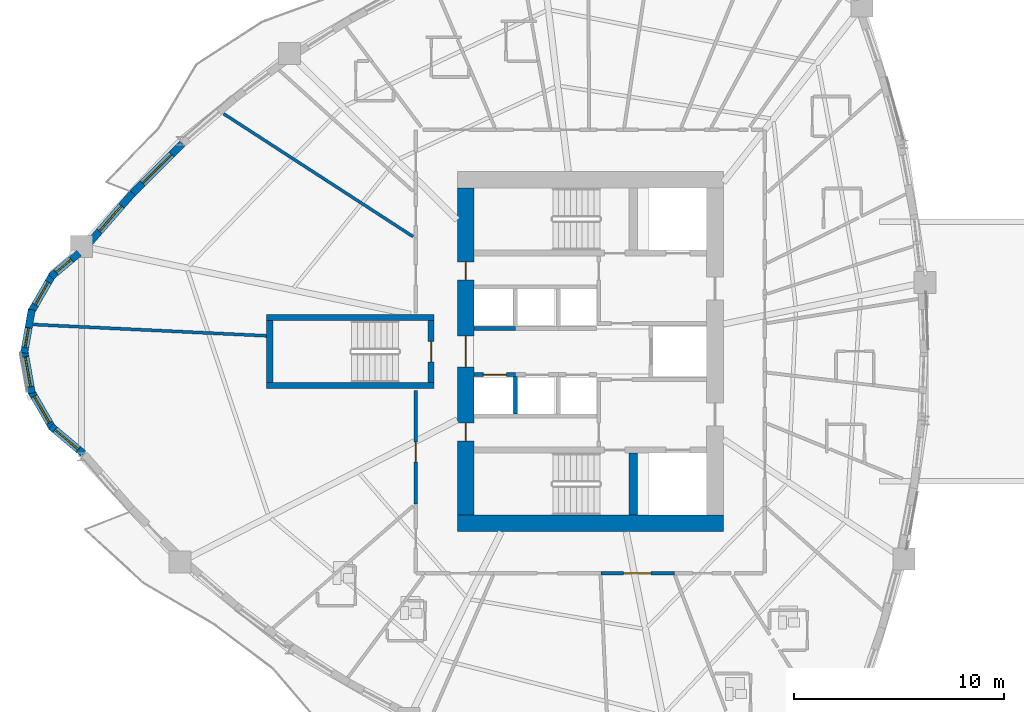
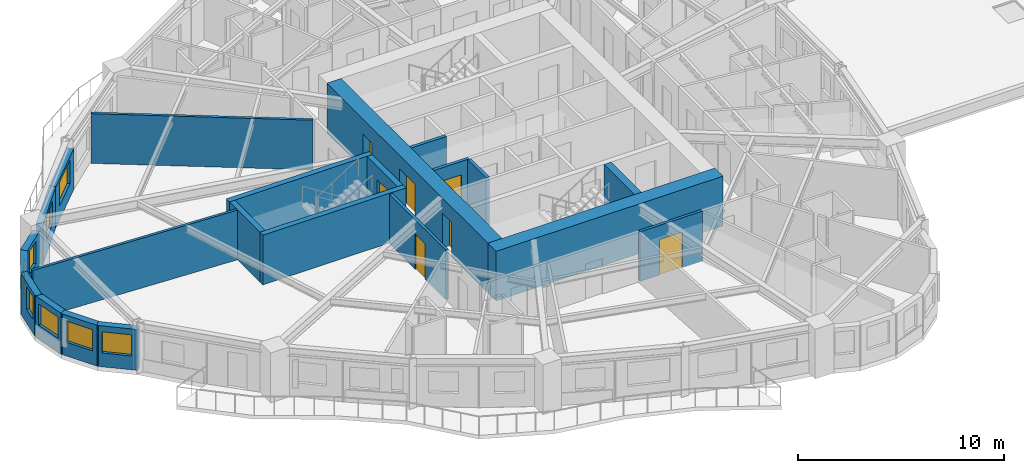
# One storey, part 4 of 15: 22 walls, 8 windows, 7 doors, 15 openings.
"""IFC4 building model written with IfcOpenShell, lengths in metres."""

from ifc_helpers import new_model, si_unit, direction, frame, frame_2d, origin, place, context, subcontext, project, spatial, rectangle, extrude, source, transform, mapped, material, layer, layer_set, type_object, element, fill, save


model = new_model("IFC4")

# Units and contexts
model_context = context("Model", 3, precision=1e-05, world=origin(), true_north=direction((0.0, 1.0)))
body_context = subcontext(model_context, "Body", "Model", "MODEL_VIEW")
ifc_project = project(units=[si_unit("LENGTHUNIT", "METRE"), si_unit("AREAUNIT", "SQUARE_METRE"), si_unit("VOLUMEUNIT", "CUBIC_METRE"), si_unit("PLANEANGLEUNIT", "RADIAN"), si_unit("MASSUNIT", "GRAM", prefix="KILO")], contexts=[model_context])

# Site, building, storey
site_placement = place(None, origin())
site = spatial("IfcSite", under=ifc_project, at=site_placement, CompositionType="ELEMENT")
building_placement = place(site_placement, origin())
building = spatial("IfcBuilding", under=site, at=building_placement, Name="Qafzar Sky-Pleat Residences", CompositionType="ELEMENT")
storey_placement = place(building_placement, frame((0.0, 0.0, 36.60009765625)))
storey = spatial("IfcBuildingStorey", under=building, at=storey_placement, Name="L10", CompositionType="ELEMENT", Elevation=36.60009765625)

# Wall, opening, door
ifc_material_1 = material(Name="Acoustic gypsum plasterboard partition", Category="gypsum")
ifc_layer_1 = layer(ifc_material_1, 0.159912109375)
ifc_layer_set_1 = layer_set([ifc_layer_1], Name="Acoustic gypsum plasterboard partition")
wall_type_1 = type_object("IfcWallType", Name="PART-COR-160", PredefinedType="PARTITIONING", material=ifc_layer_set_1)
wall_1_placement = place(storey_placement, frame((22.02001953125, 18.721923828125, 0.0), z_axis=(0.0, 0.0, 1.0), x_axis=(0.0, 1.0, 0.0)))
wall_1 = element("IfcWall", 1, at=wall_1_placement, inside=storey, type_object=wall_type_1, Name="L10 Partition Wall PART-L10-PW-001", PredefinedType="PARTITIONING", context=body_context, shape_type="SweptSolid", body=[
    extrude(rectangle(XDim=5.427978515625, YDim=0.159912109375, at=frame_2d((2.7138671875, 0.0))), origin(), (0.0, 0.0, 1.0), 2.93994140625),
])
opening_1_placement = place(wall_1_placement, frame((1.99609375, 0.0, 0.0)))
opening_1 = element("IfcOpeningElement", 2, at=opening_1_placement, cuts=wall_1, Name="Opening ID-06", PredefinedType="OPENING", context=body_context, shape_type="SweptSolid", body=[
    extrude(rectangle(XDim=0.9599609375, YDim=2.10009765625, at=frame_2d((0.47998046875, 1.050048828125))), frame((0.0, 0.08984375, 0.0), z_axis=(0.0, -1.0, 0.0), x_axis=(1.0, 0.0, 0.0)), (0.0, 0.0, 1.0), 0.179931640625),
])
ifc_material_2 = material(Name="Timber-faced fire door", Category="wood")
door_type_1 = type_object("IfcDoorType", Name="DR-STD-960", OperationType="NOTDEFINED", PredefinedType="DOOR", material=ifc_material_2)
shared_shape_1 = source(origin(), body_context, "Body", "SweptSolid", [
    extrude(rectangle(XDim=0.9599609375, YDim=2.10009765625, at=frame_2d((0.47998046875, 1.050048828125))), frame((0.0, 0.02490234375, 0.0), z_axis=(0.0, -1.0, 0.0), x_axis=(1.0, 0.0, 0.0)), (0.0, 0.0, 1.0), 0.050048828125),
])
door_1_placement = place(opening_1_placement, origin())
door_1 = element("IfcDoor", 3, at=door_1_placement, inside=storey, type_object=door_type_1, Name="L10 Scholar Co-Working Workspace Door", OperationType="SINGLE_SWING_RIGHT", OverallHeight=2.10009765625, OverallWidth=0.9599609375, PredefinedType="DOOR", context=body_context, shape_type="MappedRepresentation", body=[
    mapped(shared_shape_1, transform((0.0, 0.0, 0.0), x_axis=(1.0, 0.0, 0.0), y_axis=(0.0, 1.0, 0.0), z_axis=(0.0, 0.0, 1.0), scale=1.0)),
])
fill(opening_1, door_1)

wall_2_placement = place(storey_placement, frame((34.361083984375, 15.419921875, 0.0), z_axis=(0.0, 0.0, 1.0), x_axis=(-1.0, 0.0, 0.0)))
wall_2 = element("IfcWall", 4, at=wall_2_placement, inside=storey, type_object=wall_type_1, Name="L10 Partition Wall PART-L10-PW-006", PredefinedType="PARTITIONING", context=body_context, shape_type="SweptSolid", body=[
    extrude(rectangle(XDim=3.4970703125, YDim=0.159912109375, at=frame_2d((1.74853515625, 0.0))), origin(), (0.0, 0.0, 1.0), 2.93994140625),
])
opening_2_placement = place(wall_2_placement, frame((1.12158203125, 0.0, 0.0)))
opening_2 = element("IfcOpeningElement", 5, at=opening_2_placement, cuts=wall_2, Name="Opening ID-05", PredefinedType="OPENING", context=body_context, shape_type="SweptSolid", body=[
    extrude(rectangle(XDim=1.300048828125, YDim=2.10009765625, at=frame_2d((0.64990234375, 1.050048828125))), frame((0.0, 0.08984375, 0.0), z_axis=(0.0, -1.0, 0.0), x_axis=(1.0, 0.0, 0.0)), (0.0, 0.0, 1.0), 0.179931640625),
])
door_type_2 = type_object("IfcDoorType", Name="DR-LNG-1300", OperationType="DOUBLE_DOOR_SINGLE_SWING", PredefinedType="DOOR", material=ifc_material_2)
shared_shape_2 = source(origin(), body_context, "Body", "SweptSolid", [
    extrude(rectangle(XDim=1.300048828125, YDim=2.10009765625, at=frame_2d((0.64990234375, 1.050048828125))), frame((0.0, 0.02490234375, 0.0), z_axis=(0.0, -1.0, 0.0), x_axis=(1.0, 0.0, 0.0)), (0.0, 0.0, 1.0), 0.050048828125),
])
door_2_placement = place(opening_2_placement, origin())
door_2 = element("IfcDoor", 6, at=door_2_placement, inside=storey, type_object=door_type_2, Name="L10 Co-Living Lounge Door", OperationType="DOUBLE_DOOR_SINGLE_SWING", OverallHeight=2.10009765625, OverallWidth=1.300048828125, PredefinedType="DOOR", context=body_context, shape_type="MappedRepresentation", body=[
    mapped(shared_shape_2, transform((0.0, 0.0, 0.0), x_axis=(1.0, 0.0, 0.0), y_axis=(0.0, 1.0, 0.0), z_axis=(0.0, 0.0, 1.0), scale=1.0)),
])
fill(opening_2, door_2)

ifc_material_3 = material(Name="Concrete blockwork partition", Category="masonry")
ifc_layer_2 = layer(ifc_material_3, 0.179931640625)
ifc_layer_set_2 = layer_set([ifc_layer_2], Name="Concrete blockwork partition")
wall_type_2 = type_object("IfcWallType", Name="PART-SHAFT-180", PredefinedType="PARTITIONING", material=ifc_layer_set_2)
wall_3_placement = place(storey_placement, frame((24.81005859375, 24.89990234375, 0.0), z_axis=(0.0, 0.0, 1.0), x_axis=(1.0, 0.0, 0.0)))
wall_3 = element("IfcWall", 7, at=wall_3_placement, inside=storey, type_object=wall_type_2, Name="L10 Partition Wall PART-L10-P1-N", PredefinedType="PARTITIONING", context=body_context, shape_type="SweptSolid", body=[
    extrude(rectangle(XDim=1.96484375, YDim=0.179931640625, at=frame_2d((0.982421875, 0.0))), origin(), (0.0, 0.0, 1.0), 2.93994140625),
])
opening_3_placement = place(wall_3_placement, frame((0.4326171875, 0.0, 0.0)))
opening_3 = element("IfcOpeningElement", 8, at=opening_3_placement, cuts=wall_3, Name="Opening LD-01", PredefinedType="OPENING", context=body_context, shape_type="SweptSolid", body=[
    extrude(rectangle(XDim=1.10009765625, YDim=2.14990234375, at=frame_2d((0.550048828125, 1.074951171875))), frame((0.0, 0.10009765625, 0.0), z_axis=(0.0, -1.0, 0.0), x_axis=(1.0, 0.0, 0.0)), (0.0, 0.0, 1.0), 0.199951171875),
])
ifc_material_4 = material(Name="Stainless steel sliding landing door", Category="steel")
door_type_3 = type_object("IfcDoorType", Name="DR-LIFT-P", OperationType="DOUBLE_DOOR_SLIDING", PredefinedType="DOOR", material=ifc_material_4)
shared_shape_3 = source(origin(), body_context, "Body", "SweptSolid", [
    extrude(rectangle(XDim=1.10009765625, YDim=2.14990234375, at=frame_2d((0.550048828125, 1.074951171875))), frame((0.0, 0.02490234375, 0.0), z_axis=(0.0, -1.0, 0.0), x_axis=(1.0, 0.0, 0.0)), (0.0, 0.0, 1.0), 0.050048828125),
])
door_3_placement = place(opening_3_placement, origin())
door_3 = element("IfcDoor", 9, at=door_3_placement, inside=storey, type_object=door_type_3, Name="L10 Passenger Lift P1 Landing Door", OperationType="DOUBLE_DOOR_SLIDING", OverallHeight=2.14990234375, OverallWidth=1.10009765625, PredefinedType="DOOR", context=body_context, shape_type="MappedRepresentation", body=[
    mapped(shared_shape_3, transform((0.0, 0.0, 0.0), x_axis=(1.0, 0.0, 0.0), y_axis=(0.0, 1.0, 0.0), z_axis=(0.0, 0.0, 1.0), scale=1.0)),
])
fill(opening_3, door_3)

# Walls
wall_4_placement = place(storey_placement, frame((26.77490234375, 23.02001953125, 0.0), z_axis=(0.0, 0.0, 1.0), x_axis=(0.0, 1.0, 0.0)))
element("IfcWall", 10, at=wall_4_placement, inside=storey, type_object=wall_type_2, Name="L10 Partition Wall PART-L10-P13-DIV-1", PredefinedType="PARTITIONING", context=body_context, shape_type="SweptSolid", body=[
    extrude(rectangle(XDim=1.780029296875, YDim=0.179931640625, at=frame_2d((0.89013671875, 0.0))), origin(), (0.0, 0.0, 1.0), 2.93994140625),
])
wall_5_placement = place(storey_placement, frame((24.81005859375, 27.10009765625, 0.0), z_axis=(0.0, 0.0, 1.0), x_axis=(1.0, 0.0, 0.0)))
element("IfcWall", 11, at=wall_5_placement, inside=storey, type_object=wall_type_2, Name="L10 Partition Wall PART-L10-P4-S", PredefinedType="PARTITIONING", context=body_context, shape_type="SweptSolid", body=[
    extrude(rectangle(XDim=1.96484375, YDim=0.179931640625, at=frame_2d((0.982421875, 0.0))), origin(), (0.0, 0.0, 1.0), 2.93994140625),
])
ifc_layer_3 = layer(ifc_material_1, 0.14501953125)
ifc_layer_set_3 = layer_set([ifc_layer_3], Name="Acoustic gypsum plasterboard partition")
wall_type_3 = type_object("IfcWallType", Name="PART-UNIT-145", PredefinedType="PARTITIONING", material=ifc_layer_set_3)
wall_6_placement = place(storey_placement, frame((3.764892578125, 27.288818359375, 0.0), z_axis=(0.0, 0.0, 1.0), x_axis=(0.998826748689, -0.048426502082, 0.0)))
element("IfcWall", 12, at=wall_6_placement, inside=storey, type_object=wall_type_3, Name="L10 Partition Wall PART-L10-PW-037", PredefinedType="PARTITIONING", context=body_context, shape_type="SweptSolid", body=[
    extrude(rectangle(XDim=11.13671875, YDim=0.14501953125, at=frame_2d((5.568359375, 0.0))), origin(), (0.0, 0.0, 1.0), 2.93994140625),
])
wall_7_placement = place(storey_placement, frame((12.849853515625, 37.3466796875, 0.0), z_axis=(0.0, 0.0, 1.0), x_axis=(0.839070272759, -0.544023048567, 0.0)))
element("IfcWall", 13, at=wall_7_placement, inside=storey, type_object=wall_type_3, Name="L10 Partition Wall PART-L10-PW-039", PredefinedType="PARTITIONING", context=body_context, shape_type="SweptSolid", body=[
    extrude(rectangle(XDim=10.778564453125, YDim=0.14501953125, at=frame_2d((5.38916015625, 0.0))), origin(), (0.0, 0.0, 1.0), 2.93994140625),
])

# Wall, opening, window
ifc_material_5 = material(Name="Precast concrete C40/50 with honed Riyadh limestone", Category="concrete")
ifc_layer_4 = layer(ifc_material_5, 0.35009765625)
ifc_layer_set_4 = layer_set([ifc_layer_4], Name="Precast concrete C40/50 with honed Riyadh limestone")
wall_type_4 = type_object("IfcWallType", Name="WALL-EXT-350", PredefinedType="SOLIDWALL", material=ifc_layer_set_4)
wall_8_placement = place(storey_placement, frame((5.94775390625, 30.696044921875, 0.0), z_axis=(0.0, 0.0, 1.0), x_axis=(-0.766058770736, -0.642770534311, 0.0)))
wall_8 = element("IfcWall", 14, at=wall_8_placement, inside=storey, type_object=wall_type_4, Name="L10 Limestone Facade Wall 1", PredefinedType="SOLIDWALL", context=body_context, shape_type="SweptSolid", body=[
    extrude(rectangle(XDim=1.75244140625, YDim=0.35009765625, at=frame_2d((0.876220703125, 0.0))), origin(), (0.0, 0.0, 1.0), 2.419921875),
])
opening_4_placement = place(wall_8_placement, frame((0.476318359375, 0.0, 0.820068359375)))
opening_4 = element("IfcOpeningElement", 15, at=opening_4_placement, cuts=wall_8, Name="Opening WN-12", PredefinedType="OPENING", context=body_context, shape_type="SweptSolid", body=[
    extrude(rectangle(XDim=0.949951171875, YDim=1.35009765625, at=frame_2d((0.47509765625, 0.675048828125))), frame((0.0, 0.18505859375, 0.0), z_axis=(0.0, -1.0, 0.0), x_axis=(1.0, 0.0, 0.0)), (0.0, 0.0, 1.0), 0.3701171875),
])
ifc_material_6 = material(Name="Solar-control low-E glass in bronze aluminium frame", Category="glass")
window_type_1 = type_object("IfcWindowType", Name="WIN-12", PartitioningType="SINGLE_PANEL", PredefinedType="WINDOW", material=ifc_material_6)
shared_shape_4 = source(origin(), body_context, "Body", "SweptSolid", [
    extrude(rectangle(XDim=0.949951171875, YDim=1.35009765625, at=frame_2d((0.47509765625, 0.675048828125))), frame((0.0, 0.030029296875, 0.0), z_axis=(0.0, -1.0, 0.0), x_axis=(1.0, 0.0, 0.0)), (0.0, 0.0, 1.0), 0.06005859375),
])
window_1_placement = place(opening_4_placement, origin())
window_1 = element("IfcWindow", 16, at=window_1_placement, inside=storey, type_object=window_type_1, Name="L10 Punched Facade Window 01", OverallHeight=1.35009765625, OverallWidth=0.949951171875, PartitioningType="SINGLE_PANEL", PredefinedType="WINDOW", context=body_context, shape_type="MappedRepresentation", body=[
    mapped(shared_shape_4, transform((0.0, 0.0, 0.0), x_axis=(1.0, 0.0, 0.0), y_axis=(0.0, 1.0, 0.0), z_axis=(0.0, 0.0, 1.0), scale=1.0)),
])
fill(opening_4, window_1)

wall_9_placement = place(storey_placement, frame((4.6923828125, 29.673583984375, 0.0), z_axis=(0.0, 0.0, 1.0), x_axis=(-0.49990781971, -0.866078617559, 0.0)))
wall_9 = element("IfcWall", 17, at=wall_9_placement, inside=storey, type_object=wall_type_4, Name="L10 Limestone Facade Wall 2", PredefinedType="SOLIDWALL", context=body_context, shape_type="SweptSolid", body=[
    extrude(rectangle(XDim=2.09033203125, YDim=0.35009765625, at=frame_2d((1.045166015625, 0.0))), origin(), (0.0, 0.0, 1.0), 2.419921875),
])
opening_5_placement = place(wall_9_placement, frame((0.420166015625, 0.0, 0.820068359375)))
opening_5 = element("IfcOpeningElement", 18, at=opening_5_placement, cuts=wall_9, Name="Opening WN-11", PredefinedType="OPENING", context=body_context, shape_type="SweptSolid", body=[
    extrude(rectangle(XDim=1.25, YDim=1.35009765625, at=frame_2d((0.625, 0.675048828125))), frame((0.0, 0.18505859375, 0.0), z_axis=(0.0, -1.0, 0.0), x_axis=(1.0, 0.0, 0.0)), (0.0, 0.0, 1.0), 0.3701171875),
])
window_type_2 = type_object("IfcWindowType", Name="WIN-11", PartitioningType="SINGLE_PANEL", PredefinedType="WINDOW", material=ifc_material_6)
shared_shape_5 = source(origin(), body_context, "Body", "SweptSolid", [
    extrude(rectangle(XDim=1.25, YDim=1.35009765625, at=frame_2d((0.625, 0.675048828125))), frame((0.0, 0.030029296875, 0.0), z_axis=(0.0, -1.0, 0.0), x_axis=(1.0, 0.0, 0.0)), (0.0, 0.0, 1.0), 0.06005859375),
])
window_2_placement = place(opening_5_placement, origin())
window_2 = element("IfcWindow", 19, at=window_2_placement, inside=storey, type_object=window_type_2, Name="L10 Punched Facade Window 02", OverallHeight=1.35009765625, OverallWidth=1.25, PartitioningType="SINGLE_PANEL", PredefinedType="WINDOW", context=body_context, shape_type="MappedRepresentation", body=[
    mapped(shared_shape_5, transform((0.0, 0.0, 0.0), x_axis=(1.0, 0.0, 0.0), y_axis=(0.0, 1.0, 0.0), z_axis=(0.0, 0.0, 1.0), scale=1.0)),
])
fill(opening_5, window_2)

wall_10_placement = place(storey_placement, frame((3.693603515625, 27.99072265625, 0.0), z_axis=(0.0, 0.0, 1.0), x_axis=(-0.173558792186, -0.984823509902, 0.0)))
wall_10 = element("IfcWall", 20, at=wall_10_placement, inside=storey, type_object=wall_type_4, Name="L10 Limestone Facade Wall 3", PredefinedType="SOLIDWALL", context=body_context, shape_type="SweptSolid", body=[
    extrude(rectangle(XDim=2.09033203125, YDim=0.35009765625, at=frame_2d((1.045166015625, 0.0))), origin(), (0.0, 0.0, 1.0), 2.419921875),
])
opening_6_placement = place(wall_10_placement, frame((0.871337890625, 0.0, 0.820068359375)))
opening_6 = element("IfcOpeningElement", 21, at=opening_6_placement, cuts=wall_10, Name="Opening WN-12", PredefinedType="OPENING", context=body_context, shape_type="SweptSolid", body=[
    extrude(rectangle(XDim=0.949951171875, YDim=1.35009765625, at=frame_2d((0.47509765625, 0.675048828125))), frame((0.0, 0.18505859375, 0.0), z_axis=(0.0, -1.0, 0.0), x_axis=(1.0, 0.0, 0.0)), (0.0, 0.0, 1.0), 0.3701171875),
])
window_3_placement = place(opening_6_placement, origin())
window_3 = element("IfcWindow", 22, at=window_3_placement, inside=storey, type_object=window_type_1, Name="L10 Punched Facade Window 03-2", OverallHeight=1.35009765625, OverallWidth=0.949951171875, PartitioningType="SINGLE_PANEL", PredefinedType="WINDOW", context=body_context, shape_type="MappedRepresentation", body=[
    mapped(shared_shape_4, transform((0.0, 0.0, 0.0), x_axis=(1.0, 0.0, 0.0), y_axis=(0.0, 1.0, 0.0), z_axis=(0.0, 0.0, 1.0), scale=1.0)),
])
fill(opening_6, window_3)

wall_11_placement = place(storey_placement, frame((3.330810546875, 26.06787109375, 0.0), z_axis=(0.0, 0.0, 1.0), x_axis=(0.173558792186, -0.984823509902, 0.0)))
wall_11 = element("IfcWall", 23, at=wall_11_placement, inside=storey, type_object=wall_type_4, Name="L10 Limestone Facade Wall 4", PredefinedType="SOLIDWALL", context=body_context, shape_type="SweptSolid", body=[
    extrude(rectangle(XDim=2.09033203125, YDim=0.35009765625, at=frame_2d((1.045166015625, 0.0))), origin(), (0.0, 0.0, 1.0), 2.419921875),
])
opening_7_placement = place(wall_11_placement, frame((0.3203125, 0.0, 0.820068359375)))
opening_7 = element("IfcOpeningElement", 24, at=opening_7_placement, cuts=wall_11, Name="Opening WN-15", PredefinedType="OPENING", context=body_context, shape_type="SweptSolid", body=[
    extrude(rectangle(XDim=1.449951171875, YDim=1.25, at=frame_2d((0.72509765625, 0.625))), frame((0.0, 0.18505859375, 0.0), z_axis=(0.0, -1.0, 0.0), x_axis=(1.0, 0.0, 0.0)), (0.0, 0.0, 1.0), 0.3701171875),
])
window_type_3 = type_object("IfcWindowType", Name="WIN-15", PartitioningType="SINGLE_PANEL", PredefinedType="WINDOW", material=ifc_material_6)
shared_shape_6 = source(origin(), body_context, "Body", "SweptSolid", [
    extrude(rectangle(XDim=1.449951171875, YDim=1.25, at=frame_2d((0.72509765625, 0.625))), frame((0.0, 0.030029296875, 0.0), z_axis=(0.0, -1.0, 0.0), x_axis=(1.0, 0.0, 0.0)), (0.0, 0.0, 1.0), 0.06005859375),
])
window_4_placement = place(opening_7_placement, origin())
window_4 = element("IfcWindow", 25, at=window_4_placement, inside=storey, type_object=window_type_3, Name="L10 Punched Facade Window 04", OverallHeight=1.25, OverallWidth=1.449951171875, PartitioningType="SINGLE_PANEL", PredefinedType="WINDOW", context=body_context, shape_type="MappedRepresentation", body=[
    mapped(shared_shape_6, transform((0.0, 0.0, 0.0), x_axis=(1.0, 0.0, 0.0), y_axis=(0.0, 1.0, 0.0), z_axis=(0.0, 0.0, 1.0), scale=1.0)),
])
fill(opening_7, window_4)

wall_12_placement = place(storey_placement, frame((3.6474609375, 24.13671875, 0.0), z_axis=(0.0, 0.0, 1.0), x_axis=(0.49990781971, -0.866078617559, 0.0)))
wall_12 = element("IfcWall", 26, at=wall_12_placement, inside=storey, type_object=wall_type_4, Name="L10 Limestone Facade Wall 5", PredefinedType="SOLIDWALL", context=body_context, shape_type="SweptSolid", body=[
    extrude(rectangle(XDim=2.09033203125, YDim=0.35009765625, at=frame_2d((1.045166015625, 0.0))), origin(), (0.0, 0.0, 1.0), 2.419921875),
])
opening_8_placement = place(wall_12_placement, frame((0.3203125, 0.0, 0.820068359375)))
opening_8 = element("IfcOpeningElement", 27, at=opening_8_placement, cuts=wall_12, Name="Opening WN-15", PredefinedType="OPENING", context=body_context, shape_type="SweptSolid", body=[
    extrude(rectangle(XDim=1.449951171875, YDim=1.25, at=frame_2d((0.72509765625, 0.625))), frame((0.0, 0.18505859375, 0.0), z_axis=(0.0, -1.0, 0.0), x_axis=(1.0, 0.0, 0.0)), (0.0, 0.0, 1.0), 0.3701171875),
])
window_5_placement = place(opening_8_placement, origin())
window_5 = element("IfcWindow", 28, at=window_5_placement, inside=storey, type_object=window_type_3, Name="L10 Punched Facade Window 05", OverallHeight=1.25, OverallWidth=1.449951171875, PartitioningType="SINGLE_PANEL", PredefinedType="WINDOW", context=body_context, shape_type="MappedRepresentation", body=[
    mapped(shared_shape_6, transform((0.0, 0.0, 0.0), x_axis=(1.0, 0.0, 0.0), y_axis=(0.0, 1.0, 0.0), z_axis=(0.0, 0.0, 1.0), scale=1.0)),
])
fill(opening_8, window_5)

wall_13_placement = place(storey_placement, frame((4.605224609375, 22.430419921875, 0.0), z_axis=(0.0, 0.0, 1.0), x_axis=(0.766040796373, -0.642791955684, 0.0)))
wall_13 = element("IfcWall", 29, at=wall_13_placement, inside=storey, type_object=wall_type_4, Name="L10 Limestone Facade Wall 6", PredefinedType="SOLIDWALL", context=body_context, shape_type="SweptSolid", body=[
    extrude(rectangle(XDim=2.032470703125, YDim=0.35009765625, at=frame_2d((1.01611328125, 0.0))), origin(), (0.0, 0.0, 1.0), 2.419921875),
])
opening_9_placement = place(wall_13_placement, frame((0.26123046875, 0.0, 0.820068359375)))
opening_9 = element("IfcOpeningElement", 30, at=opening_9_placement, cuts=wall_13, Name="Opening WN-15", PredefinedType="OPENING", context=body_context, shape_type="SweptSolid", body=[
    extrude(rectangle(XDim=1.449951171875, YDim=1.25, at=frame_2d((0.72509765625, 0.625))), frame((0.0, 0.18505859375, 0.0), z_axis=(0.0, -1.0, 0.0), x_axis=(1.0, 0.0, 0.0)), (0.0, 0.0, 1.0), 0.3701171875),
])
window_6_placement = place(opening_9_placement, origin())
window_6 = element("IfcWindow", 31, at=window_6_placement, inside=storey, type_object=window_type_3, Name="L10 Punched Facade Window 06", OverallHeight=1.25, OverallWidth=1.449951171875, PartitioningType="SINGLE_PANEL", PredefinedType="WINDOW", context=body_context, shape_type="MappedRepresentation", body=[
    mapped(shared_shape_6, transform((0.0, 0.0, 0.0), x_axis=(1.0, 0.0, 0.0), y_axis=(0.0, 1.0, 0.0), z_axis=(0.0, 0.0, 1.0), scale=1.0)),
])
fill(opening_9, window_6)

wall_14_placement = place(storey_placement, frame((10.882568359375, 35.917724609375, 0.0), z_axis=(0.0, 0.0, 1.0), x_axis=(-0.708386995502, -0.70582424484, 0.0)))
wall_14 = element("IfcWall", 32, at=wall_14_placement, inside=storey, type_object=wall_type_4, Name="L10 Limestone Facade Wall 47", PredefinedType="SOLIDWALL", context=body_context, shape_type="SweptSolid", body=[
    extrude(rectangle(XDim=3.429443359375, YDim=0.35009765625, at=frame_2d((1.71484375, 0.0))), origin(), (0.0, 0.0, 1.0), 2.419921875),
])
opening_10_placement = place(wall_14_placement, frame((0.729736328125, 0.0, 0.820068359375)))
opening_10 = element("IfcOpeningElement", 33, at=opening_10_placement, cuts=wall_14, Name="Opening WN-08", PredefinedType="OPENING", context=body_context, shape_type="SweptSolid", body=[
    extrude(rectangle(XDim=1.949951171875, YDim=1.39990234375, at=frame_2d((0.97509765625, 0.699951171875))), frame((0.0, 0.18505859375, 0.0), z_axis=(0.0, -1.0, 0.0), x_axis=(1.0, 0.0, 0.0)), (0.0, 0.0, 1.0), 0.3701171875),
])
window_type_4 = type_object("IfcWindowType", Name="WIN-08", PartitioningType="DOUBLE_PANEL_VERTICAL", PredefinedType="WINDOW", material=ifc_material_6)
shared_shape_7 = source(origin(), body_context, "Body", "SweptSolid", [
    extrude(rectangle(XDim=1.949951171875, YDim=1.39990234375, at=frame_2d((0.97509765625, 0.699951171875))), frame((0.0, 0.030029296875, 0.0), z_axis=(0.0, -1.0, 0.0), x_axis=(1.0, 0.0, 0.0)), (0.0, 0.0, 1.0), 0.06005859375),
])
window_7_placement = place(opening_10_placement, origin())
window_7 = element("IfcWindow", 34, at=window_7_placement, inside=storey, type_object=window_type_4, Name="L10 Punched Facade Window 47", OverallHeight=1.39990234375, OverallWidth=1.949951171875, PartitioningType="SINGLE_PANEL", PredefinedType="WINDOW", context=body_context, shape_type="MappedRepresentation", body=[
    mapped(shared_shape_7, transform((0.0, 0.0, 0.0), x_axis=(1.0, 0.0, 0.0), y_axis=(0.0, 1.0, 0.0), z_axis=(0.0, 0.0, 1.0), scale=1.0)),
])
fill(opening_10, window_7)

wall_15_placement = place(storey_placement, frame((8.51318359375, 33.561279296875, 0.0), z_axis=(0.0, 0.0, 1.0), x_axis=(-0.657640586907, -0.753331838205, 0.0)))
wall_15 = element("IfcWall", 35, at=wall_15_placement, inside=storey, type_object=wall_type_4, Name="L10 Limestone Facade Wall 48", PredefinedType="SOLIDWALL", context=body_context, shape_type="SweptSolid", body=[
    extrude(rectangle(XDim=3.222412109375, YDim=0.35009765625, at=frame_2d((1.611328125, 0.0))), origin(), (0.0, 0.0, 1.0), 2.419921875),
])
opening_11_placement = place(wall_15_placement, frame((0.816162109375, 0.0, 0.820068359375)))
opening_11 = element("IfcOpeningElement", 36, at=opening_11_placement, cuts=wall_15, Name="Opening WN-09", PredefinedType="OPENING", context=body_context, shape_type="SweptSolid", body=[
    extrude(rectangle(XDim=1.60009765625, YDim=1.35009765625, at=frame_2d((0.800048828125, 0.675048828125))), frame((0.0, 0.18505859375, 0.0), z_axis=(0.0, -1.0, 0.0), x_axis=(1.0, 0.0, 0.0)), (0.0, 0.0, 1.0), 0.3701171875),
])
window_type_5 = type_object("IfcWindowType", Name="WIN-09", PartitioningType="DOUBLE_PANEL_VERTICAL", PredefinedType="WINDOW", material=ifc_material_6)
shared_shape_8 = source(origin(), body_context, "Body", "SweptSolid", [
    extrude(rectangle(XDim=1.60009765625, YDim=1.35009765625, at=frame_2d((0.800048828125, 0.675048828125))), frame((0.0, 0.030029296875, 0.0), z_axis=(0.0, -1.0, 0.0), x_axis=(1.0, 0.0, 0.0)), (0.0, 0.0, 1.0), 0.06005859375),
])
window_8_placement = place(opening_11_placement, origin())
window_8 = element("IfcWindow", 37, at=window_8_placement, inside=storey, type_object=window_type_5, Name="L10 Punched Facade Window 48", OverallHeight=1.35009765625, OverallWidth=1.60009765625, PartitioningType="SINGLE_PANEL", PredefinedType="WINDOW", context=body_context, shape_type="MappedRepresentation", body=[
    mapped(shared_shape_8, transform((0.0, 0.0, 0.0), x_axis=(1.0, 0.0, 0.0), y_axis=(0.0, 1.0, 0.0), z_axis=(0.0, 0.0, 1.0), scale=1.0)),
])
fill(opening_11, window_8)

# Walls
ifc_material_7 = material(Name="Concrete C60/75", Category="concrete")
ifc_layer_5 = layer(ifc_material_7, 0.300048828125)
ifc_layer_set_5 = layer_set([ifc_layer_5], Name="Concrete C60/75")
wall_type_5 = type_object("IfcWallType", Name="WALL-SHEAR-300", PredefinedType="SHEAR", material=ifc_layer_set_5)
for number, where, z_axis, x_axis, name in (
    (38, (14.89990234375, 24.375, 0.0), (0.0, 0.0, 1.0), (1.0, 0.0, 0.0), "L10 ST3 wall S"),
    (39, (22.89990234375, 27.625, 0.0), (0.0, 0.0, 1.0), (-1.0, 0.0, 0.0), "L10 ST3 wall N"),
):
    element("IfcWall", number, at=place(storey_placement, frame(where, z_axis=z_axis, x_axis=x_axis)), inside=storey, type_object=wall_type_5, Name=name, PredefinedType="SHEAR", context=body_context, shape_type="SweptSolid", body=[
        extrude(rectangle(XDim=8.0, YDim=0.300048828125, at=frame_2d((4.0, 0.0))), origin(), (0.0, 0.0, 1.0), 2.93994140625),
    ])
wall_16_placement = place(storey_placement, frame((15.050048828125, 27.47509765625, 0.0), z_axis=(0.0, 0.0, 1.0), x_axis=(0.0, -1.0, 0.0)))
element("IfcWall", 40, at=wall_16_placement, inside=storey, type_object=wall_type_5, Name="L10 ST3 wall W", PredefinedType="SHEAR", context=body_context, shape_type="SweptSolid", body=[
    extrude(rectangle(XDim=2.9501953125, YDim=0.300048828125, at=frame_2d((1.47509765625, 0.0))), origin(), (0.0, 0.0, 1.0), 2.93994140625),
])

# Wall, opening, door
wall_17_placement = place(storey_placement, frame((22.75, 24.52490234375, 0.0), z_axis=(0.0, 0.0, 1.0), x_axis=(0.0, 1.0, 0.0)))
wall_17 = element("IfcWall", 41, at=wall_17_placement, inside=storey, type_object=wall_type_5, Name="L10 ST3 wall E", PredefinedType="SHEAR", context=body_context, shape_type="SweptSolid", body=[
    extrude(rectangle(XDim=2.9501953125, YDim=0.300048828125, at=frame_2d((1.47509765625, 0.0))), origin(), (0.0, 0.0, 1.0), 2.93994140625),
])
opening_12_placement = place(wall_17_placement, frame((0.985107421875, 0.0, 0.0)))
opening_12 = element("IfcOpeningElement", 42, at=opening_12_placement, cuts=wall_17, Name="Opening ID-01", PredefinedType="OPENING", context=body_context, shape_type="SweptSolid", body=[
    extrude(rectangle(XDim=0.97998046875, YDim=2.14990234375, at=frame_2d((0.489990234375, 1.074951171875))), frame((0.0, 0.16015625, 0.0), z_axis=(0.0, -1.0, 0.0), x_axis=(1.0, 0.0, 0.0)), (0.0, 0.0, 1.0), 0.320068359375),
])
door_type_4 = type_object("IfcDoorType", Name="DR-STAIR-980", OperationType="NOTDEFINED", PredefinedType="DOOR", material=ifc_material_2)
shared_shape_9 = source(origin(), body_context, "Body", "SweptSolid", [
    extrude(rectangle(XDim=0.97998046875, YDim=2.14990234375, at=frame_2d((0.489990234375, 1.074951171875))), frame((0.0, 0.02490234375, 0.0), z_axis=(0.0, -1.0, 0.0), x_axis=(1.0, 0.0, 0.0)), (0.0, 0.0, 1.0), 0.050048828125),
])
door_4_placement = place(opening_12_placement, origin())
door_4 = element("IfcDoor", 43, at=door_4_placement, inside=storey, type_object=door_type_4, Name="L10 Stair ST3 Fire Door", OperationType="SINGLE_SWING_LEFT", OverallHeight=2.14990234375, OverallWidth=0.97998046875, PredefinedType="DOOR", context=body_context, shape_type="MappedRepresentation", body=[
    mapped(shared_shape_9, transform((0.0, 0.0, 0.0), x_axis=(1.0, 0.0, 0.0), y_axis=(0.0, 1.0, 0.0), z_axis=(0.0, 0.0, 1.0), scale=1.0)),
])
fill(opening_12, door_4)

# Walls
ifc_layer_6 = layer(ifc_material_7, 0.39990234375)
ifc_layer_set_6 = layer_set([ifc_layer_6], Name="Concrete C60/75")
wall_type_6 = type_object("IfcWallType", Name="WALL-SHEAR-400", PredefinedType="SHEAR", material=ifc_layer_set_6)
wall_18_placement = place(storey_placement, frame((32.39990234375, 18.199951171875, 0.0), z_axis=(0.0, 0.0, 1.0), x_axis=(0.0, 1.0, 0.0)))
element("IfcWall", 44, at=wall_18_placement, inside=storey, type_object=wall_type_6, Name="L10 Stair ST1 East Dividing Wall", PredefinedType="SHEAR", context=body_context, shape_type="SweptSolid", body=[
    extrude(rectangle(XDim=2.949951171875, YDim=0.39990234375, at=frame_2d((1.47509765625, 0.0))), origin(), (0.0, 0.0, 1.0), 2.93994140625),
])
ifc_layer_7 = layer(ifc_material_7, 0.800048828125)
ifc_layer_set_7 = layer_set([ifc_layer_7], Name="Concrete C60/75")
wall_type_7 = type_object("IfcWallType", Name="WALL-SHEAR-800", PredefinedType="SHEAR", material=ifc_layer_set_7)
wall_19_placement = place(storey_placement, frame((24.0, 17.800048828125, 0.0), z_axis=(0.0, 0.0, 1.0), x_axis=(1.0, 0.0, 0.0)))
element("IfcWall", 45, at=wall_19_placement, inside=storey, type_object=wall_type_7, Name="L10 CORE wall S", PredefinedType="SHEAR", context=body_context, shape_type="SweptSolid", body=[
    extrude(rectangle(XDim=12.699951171875, YDim=0.800048828125, at=frame_2d((6.35009765625, 0.0))), origin(), (0.0, 0.0, 1.0), 2.93994140625),
])

# Wall, openings, doors
wall_20_placement = place(storey_placement, frame((24.39990234375, 33.800048828125, 0.0), z_axis=(0.0, 0.0, 1.0), x_axis=(0.0, -1.0, 0.0)))
wall_20 = element("IfcWall", 46, at=wall_20_placement, inside=storey, type_object=wall_type_7, Name="L10 CORE wall W", PredefinedType="SHEAR", context=body_context, shape_type="SweptSolid", body=[
    extrude(rectangle(XDim=15.60009765625, YDim=0.800048828125, at=frame_2d((7.800048828125, 0.0))), origin(), (0.0, 0.0, 1.0), 2.93994140625),
])
opening_13_placement = place(wall_20_placement, frame((7.050048828125, 0.0, 0.0)))
opening_13 = element("IfcOpeningElement", 47, at=opening_13_placement, cuts=wall_20, Name="Opening ID-03", PredefinedType="OPENING", context=body_context, shape_type="SweptSolid", body=[
    extrude(rectangle(XDim=1.5, YDim=2.14990234375, at=frame_2d((0.75, 1.074951171875))), frame((0.0, 0.41015625, 0.0), z_axis=(0.0, -1.0, 0.0), x_axis=(1.0, 0.0, 0.0)), (0.0, 0.0, 1.0), 0.820068359375),
])
opening_14_placement = place(wall_20_placement, frame((3.52001953125, 0.0, 0.0)))
opening_14 = element("IfcOpeningElement", 48, at=opening_14_placement, cuts=wall_20, Name="Opening ID-09", PredefinedType="OPENING", context=body_context, shape_type="SweptSolid", body=[
    extrude(rectangle(XDim=0.860107421875, YDim=2.050048828125, at=frame_2d((0.43017578125, 1.02490234375))), frame((0.0, 0.41015625, 0.0), z_axis=(0.0, -1.0, 0.0), x_axis=(1.0, 0.0, 0.0)), (0.0, 0.0, 1.0), 0.820068359375),
])
opening_15_placement = place(wall_20_placement, frame((11.219970703125, 0.0, 0.0)))
opening_15 = element("IfcOpeningElement", 49, at=opening_15_placement, cuts=wall_20, Name="Opening ID-09", PredefinedType="OPENING", context=body_context, shape_type="SweptSolid", body=[
    extrude(rectangle(XDim=0.860107421875, YDim=2.050048828125, at=frame_2d((0.43017578125, 1.02490234375))), frame((0.0, 0.41015625, 0.0), z_axis=(0.0, -1.0, 0.0), x_axis=(1.0, 0.0, 0.0)), (0.0, 0.0, 1.0), 0.820068359375),
])
door_type_5 = type_object("IfcDoorType", Name="DR-COR-1500", OperationType="DOUBLE_DOOR_SINGLE_SWING", PredefinedType="DOOR", material=ifc_material_2)
shared_shape_10 = source(origin(), body_context, "Body", "SweptSolid", [
    extrude(rectangle(XDim=1.5, YDim=2.14990234375, at=frame_2d((0.75, 1.074951171875))), frame((0.0, 0.02490234375, 0.0), z_axis=(0.0, -1.0, 0.0), x_axis=(1.0, 0.0, 0.0)), (0.0, 0.0, 1.0), 0.050048828125),
])
door_5_placement = place(opening_13_placement, origin())
door_5 = element("IfcDoor", 50, at=door_5_placement, inside=storey, type_object=door_type_5, Name="L10 Lift Lobby West Double Door", OperationType="DOUBLE_DOOR_SINGLE_SWING", OverallHeight=2.14990234375, OverallWidth=1.5, PredefinedType="DOOR", context=body_context, shape_type="MappedRepresentation", body=[
    mapped(shared_shape_10, transform((0.0, 0.0, 0.0), x_axis=(1.0, 0.0, 0.0), y_axis=(0.0, 1.0, 0.0), z_axis=(0.0, 0.0, 1.0), scale=1.0)),
])
fill(opening_13, door_5)
door_type_6 = type_object("IfcDoorType", Name="DR-SVC-860", OperationType="NOTDEFINED", PredefinedType="DOOR", material=ifc_material_2)
shared_shape_11 = source(origin(), body_context, "Body", "SweptSolid", [
    extrude(rectangle(XDim=0.860107421875, YDim=2.050048828125, at=frame_2d((0.43017578125, 1.02490234375))), frame((0.0, 0.02490234375, 0.0), z_axis=(0.0, -1.0, 0.0), x_axis=(1.0, 0.0, 0.0)), (0.0, 0.0, 1.0), 0.050048828125),
])
door_6_placement = place(opening_14_placement, origin())
door_6 = element("IfcDoor", 51, at=door_6_placement, inside=storey, type_object=door_type_6, Name="L10 Core North-West Service Door", OperationType="SINGLE_SWING_RIGHT", OverallHeight=2.050048828125, OverallWidth=0.860107421875, PredefinedType="DOOR", context=body_context, shape_type="MappedRepresentation", body=[
    mapped(shared_shape_11, transform((0.0, 0.0, 0.0), x_axis=(1.0, 0.0, 0.0), y_axis=(0.0, 1.0, 0.0), z_axis=(0.0, 0.0, 1.0), scale=1.0)),
])
fill(opening_14, door_6)
door_7_placement = place(opening_15_placement, origin())
door_7 = element("IfcDoor", 52, at=door_7_placement, inside=storey, type_object=door_type_6, Name="L10 Core South-West Service Door", OperationType="SINGLE_SWING_LEFT", OverallHeight=2.050048828125, OverallWidth=0.860107421875, PredefinedType="DOOR", context=body_context, shape_type="MappedRepresentation", body=[
    mapped(shared_shape_11, transform((0.0, 0.0, 0.0), x_axis=(1.0, 0.0, 0.0), y_axis=(0.0, 1.0, 0.0), z_axis=(0.0, 0.0, 1.0), scale=1.0)),
])
fill(opening_15, door_7)

save(model, "model.ifc")
